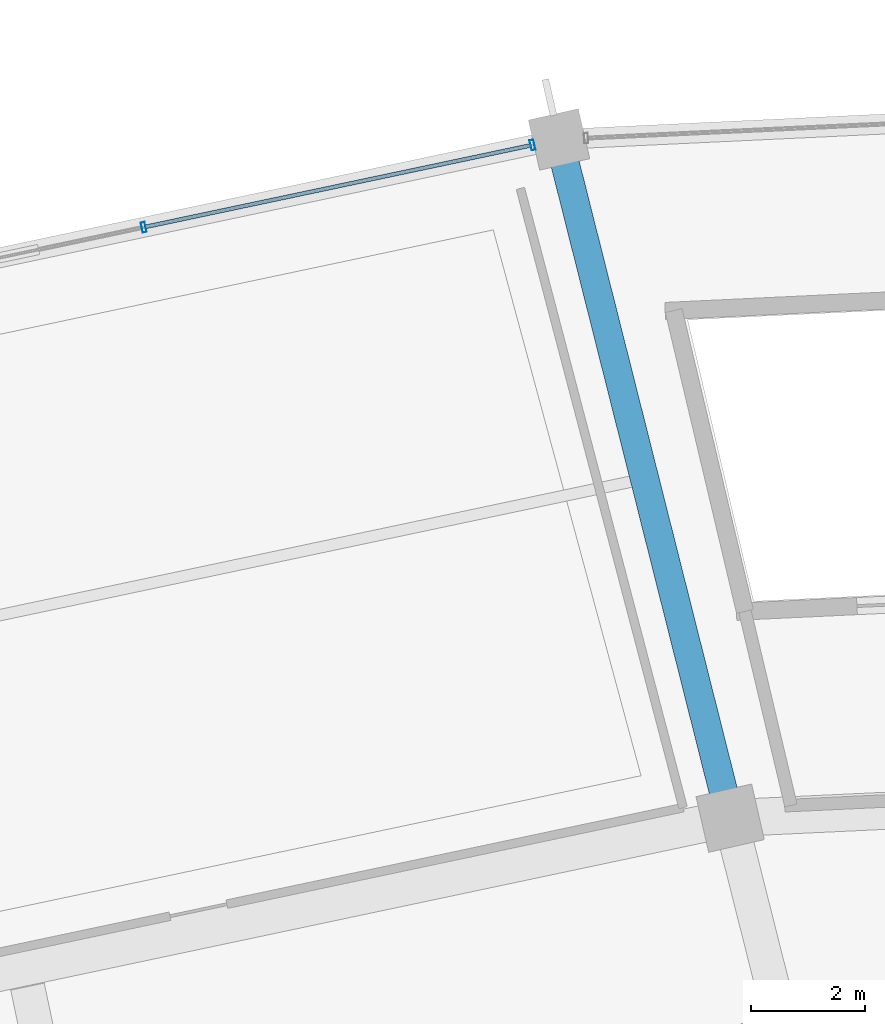
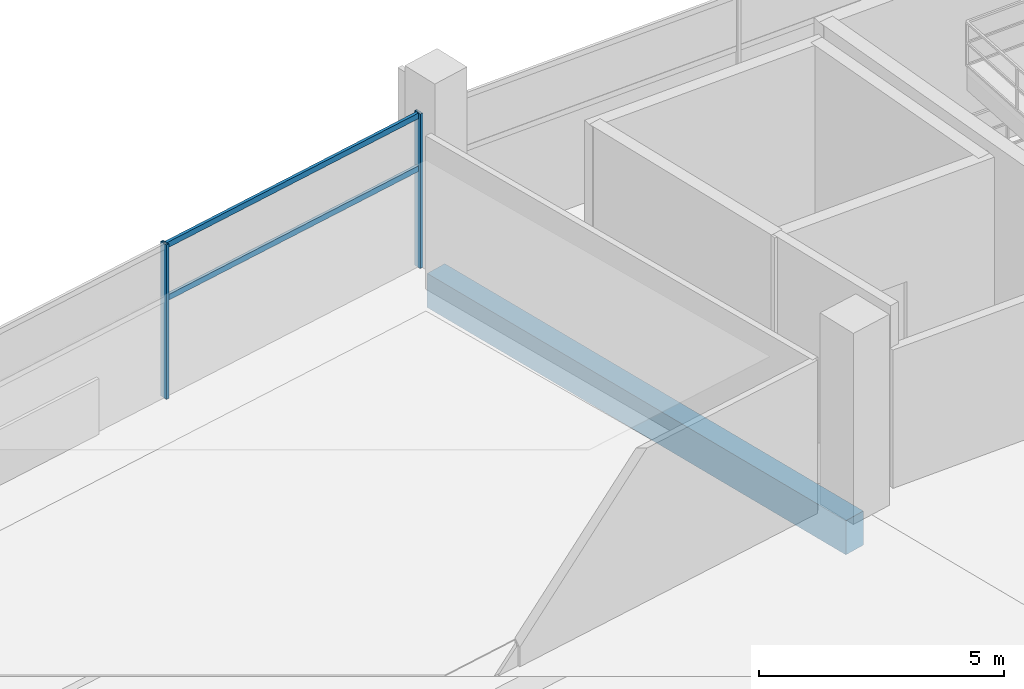
# One storey, part 79 of 156: 4 members, 1 beam, 1 element without a shape of its own.
"""IFC4 building model written with IfcOpenShell, lengths in metres."""

from ifc_helpers import new_model, si_unit, direction, frame, origin, origin_2d, place, context, subcontext, project, spatial, rectangle, hollow_rectangle, extrude, material, layer, layer_set, material_profile, profile_set, type_object, element, aggregate, save


model = new_model("IFC4")

# Units and contexts
model_context = context("Model", 3, precision=1e-05, world=origin(), true_north=direction((0.0, 1.0)))
body_context = subcontext(model_context, "Body", "Model", "MODEL_VIEW")
ifc_project = project(units=[si_unit("LENGTHUNIT", "METRE"), si_unit("AREAUNIT", "SQUARE_METRE"), si_unit("VOLUMEUNIT", "CUBIC_METRE"), si_unit("PLANEANGLEUNIT", "RADIAN"), si_unit("MASSUNIT", "GRAM", prefix="KILO")], contexts=[model_context])

# Site, building, storey
site_placement = place(None, origin())
site = spatial("IfcSite", under=ifc_project, at=site_placement, CompositionType="ELEMENT")
building_placement = place(site_placement, origin())
building = spatial("IfcBuilding", under=site, at=building_placement, Name="Kazemori Nagisa Stadium", CompositionType="ELEMENT")
storey_placement = place(building_placement, frame((0.0, 0.0, 5.780029296875)))
storey = spatial("IfcBuildingStorey", under=building, at=storey_placement, Name="L01", CompositionType="ELEMENT", Elevation=5.780029296875)

# Beam
ifc_material_1 = material(Name="Concrete C40/50 (Fc42)", Category="concrete")
ifc_material_profile_1 = material_profile(ifc_material_1, rectangle(XDim=0.5, YDim=0.85009765625, at=origin_2d()), Name="RC-BM-500x850")
ifc_profile_set_1 = profile_set([ifc_material_profile_1], Name="Concrete C40/50 (Fc42)")
beam_type = type_object("IfcBeamType", Name="Beam_BG-RC500X850", PredefinedType="BEAM", material=ifc_profile_set_1)
beam_placement = place(storey_placement, frame((104.572265625, 175.088623046875, -0.705078125), z_axis=(-0.244487324834, 0.969652488263, 0.0), x_axis=(-0.969652488263, -0.244487324834, 0.0)))
element("IfcBeam", 1, at=beam_placement, inside=storey, type_object=beam_type, Name="Radial girder BG-RC500X850 L01 R2-R3-09", PredefinedType="BEAM", context=body_context, shape_type="SweptSolid", body=[
    extrude(rectangle(XDim=0.5, YDim=0.85009765625, at=origin_2d()), origin(), (0.0, 0.0, 1.0), 12.2705078125),
])

# Curtain wall, members
ifc_material_2 = material(Name="Anodised aluminium 6063-T5", Category="aluminium")
ifc_layer = layer(ifc_material_2, 0.179931640625, Name="Anodised aluminium 6063-T5", Category="aluminium")
ifc_layer_set = layer_set([ifc_layer], Name="Anodised aluminium 6063-T5")
curtain_wall_type = type_object("IfcCurtainWallType", Name="CW_L01R3_105", PredefinedType="USERDEFINED", material=ifc_layer_set)
curtain_wall_placement = place(storey_placement, origin())
curtain_wall = element("IfcCurtainWall", 2, at=curtain_wall_placement, inside=storey, type_object=curtain_wall_type, Name="Unitised curtain wall CW-L01R3-105 L01", ObjectType="UNITISED CURTAIN WALL", PredefinedType="USERDEFINED")
ifc_material_3 = material(Name="Aluminium 6063-T5 anodised", Category="aluminium")
ifc_material_profile_2 = material_profile(ifc_material_3, hollow_rectangle(XDim=0.070068359375, YDim=0.179931640625, WallThickness=0.00390625, at=origin_2d()), Name="ALU-MULL-70x180x4")
ifc_profile_set_2 = profile_set([ifc_material_profile_2], Name="Aluminium 6063-T5 anodised")
member_type_1 = type_object("IfcMemberType", Name="Mullion_M01", PredefinedType="MULLION", material=ifc_profile_set_2)
member_1_placement = place(storey_placement, frame((101.107666015625, 186.888427734375, 0.0), z_axis=(0.0, 0.0, 1.0), x_axis=(-0.978344955407, -0.206981033502, 0.0)))
member_1 = element("IfcMember", 3, at=member_1_placement, type_object=member_type_1, Name="Curtain wall mullion CW-L01R3-105-M1", PredefinedType="MULLION", context=body_context, shape_type="SweptSolid", body=[
    extrude(hollow_rectangle(XDim=0.070068359375, YDim=0.179931640625, WallThickness=0.00390625, at=origin_2d()), origin(), (0.0, 0.0, 1.0), 3.849853515625),
])
member_2_placement = place(storey_placement, frame((94.291748046875, 185.446533203125, 0.0), z_axis=(0.0, 0.0, 1.0), x_axis=(-0.978344955407, -0.206981033502, 0.0)))
member_2 = element("IfcMember", 4, at=member_2_placement, type_object=member_type_1, Name="Curtain wall mullion CW-L01R3-105-M2", PredefinedType="MULLION", context=body_context, shape_type="SweptSolid", body=[
    extrude(hollow_rectangle(XDim=0.070068359375, YDim=0.179931640625, WallThickness=0.00390625, at=origin_2d()), origin(), (0.0, 0.0, 1.0), 3.849853515625),
])
ifc_material_profile_3 = material_profile(ifc_material_3, hollow_rectangle(XDim=0.070068359375, YDim=0.139892578125, WallThickness=0.00390625, at=origin_2d()), Name="ALU-TRAN-70x140x4")
ifc_profile_set_3 = profile_set([ifc_material_profile_3], Name="Aluminium 6063-T5 anodised")
member_type_2 = type_object("IfcMemberType", Name="Transom_T01", PredefinedType="USERDEFINED", material=ifc_profile_set_3)
member_3_placement = place(storey_placement, frame((101.088134765625, 186.88427734375, 2.4638671875), z_axis=(-0.978348879673, -0.20696248366, 0.0), x_axis=(0.20696248366, -0.978348879673, 0.0)))
member_3 = element("IfcMember", 5, at=member_3_placement, type_object=member_type_2, Name="Curtain wall transom CW-L01R3-105-T1-mid", ObjectType="TRANSOM", PredefinedType="USERDEFINED", context=body_context, shape_type="SweptSolid", body=[
    extrude(hollow_rectangle(XDim=0.070068359375, YDim=0.139892578125, WallThickness=0.00390625, at=origin_2d()), origin(), (0.0, 0.0, 1.0), 6.9267578125),
])
member_4_placement = place(storey_placement, frame((101.088134765625, 186.88427734375, 3.780029296875), z_axis=(-0.978348879673, -0.20696248366, 0.0), x_axis=(0.20696248366, -0.978348879673, 0.0)))
member_4 = element("IfcMember", 6, at=member_4_placement, type_object=member_type_2, Name="Curtain wall transom CW-L01R3-105-T1-head", ObjectType="TRANSOM", PredefinedType="USERDEFINED", context=body_context, shape_type="SweptSolid", body=[
    extrude(hollow_rectangle(XDim=0.070068359375, YDim=0.139892578125, WallThickness=0.00390625, at=origin_2d()), origin(), (0.0, 0.0, 1.0), 6.9267578125),
])
aggregate(curtain_wall, [member_1, member_2, member_3, member_4])

save(model, "model.ifc")
